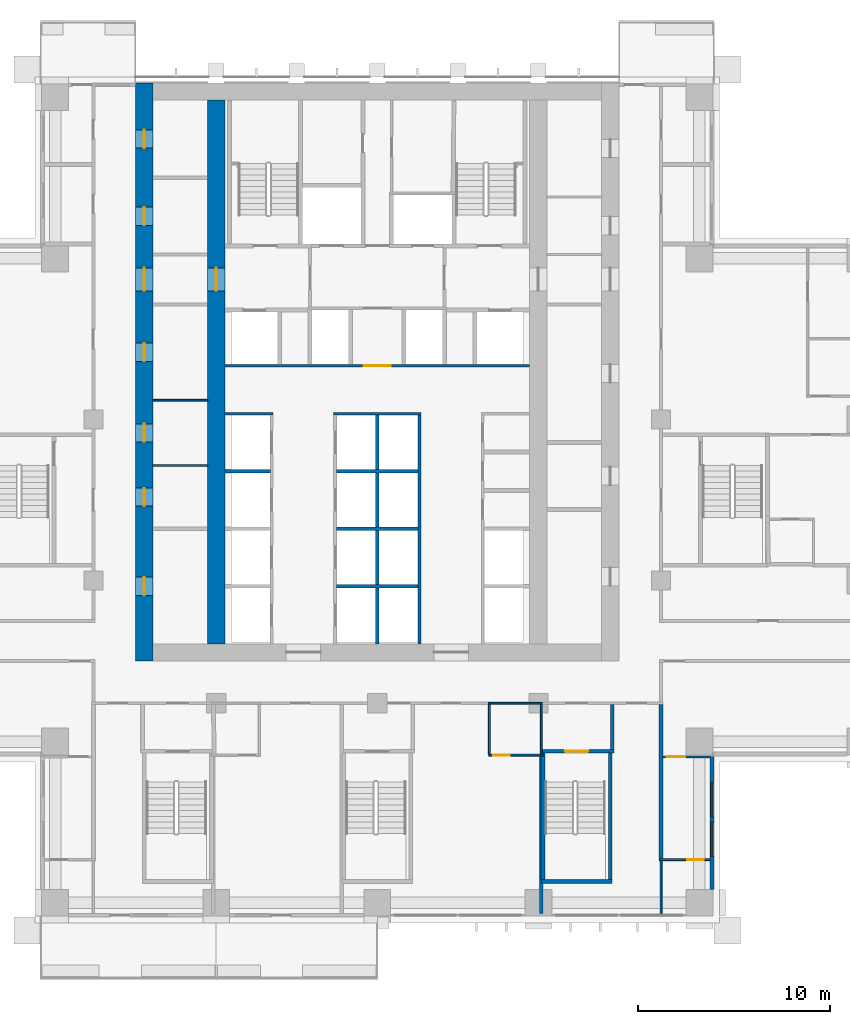
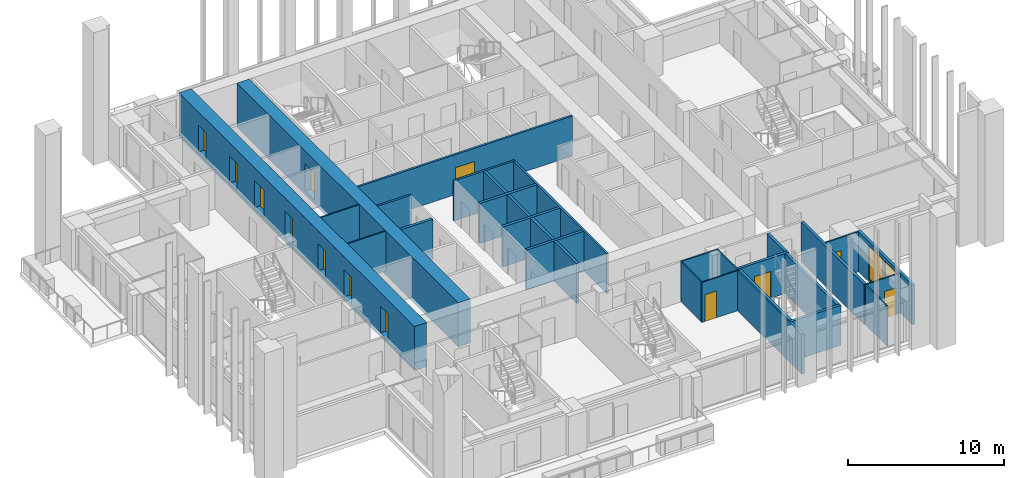
# One storey, part 8 of 17: 28 walls, 13 doors, 2 windows, 15 openings.
"""IFC4 building model written with IfcOpenShell, lengths in metres."""

import ifcopenshell
import ifcopenshell.guid

model = None  # the IFC model being written
_history = None  # IfcOwnerHistory: only IFC2X3 demands one
_inside = {}  # id of a spatial element -> (the spatial element, [elements in it])
_under = {}  # id of a project, library or spatial element -> (it, [spatial elements below it])
_declared = {}  # id of a project -> (the project, [libraries it declares])
_typed = {}  # id of a type object -> (the type object, [elements of that type])
_made_of = {}  # id of a material, layer set ... -> (it, [elements and type objects made of it])


def new_model(schema):
    """Start an empty IFC model of exactly this schema.

    Asked for "IFC4X3", IfcOpenShell would pick the latest addendum, in which some entities
    have other attributes; the version numbers below select the first issue.
    IFC2X3 requires an IfcOwnerHistory on every rooted entity: one is made here for all.
    """
    global model, _history
    if schema == "IFC4X3":
        model = ifcopenshell.file(schema_version=(4, 3, 0, 0))
    else:
        model = ifcopenshell.file(schema=schema)
    _inside.clear()
    _under.clear()
    _declared.clear()
    _typed.clear()
    _made_of.clear()
    _history = None
    if model.schema == "IFC2X3":
        org = make("IfcOrganization", Name="unknown")
        user = make(
            "IfcPersonAndOrganization",
            ThePerson=make("IfcPerson", FamilyName="unknown"),
            TheOrganization=org,
        )
        app = make(
            "IfcApplication",
            ApplicationDeveloper=org,
            Version="unknown",
            ApplicationFullName="unknown",
            ApplicationIdentifier="unknown",
        )
        _history = make(
            "IfcOwnerHistory",
            OwningUser=user,
            OwningApplication=app,
            ChangeAction="ADDED",
            CreationDate=0,
        )
    return model


def make(cls, **values):
    """One entity of the class cls with the attributes given. An attribute that is None is left unset."""
    return model.create_entity(
        cls, **{name: value for name, value in values.items() if value is not None}
    )


def rooted(cls, **values):
    """An entity with a GlobalId (a new one), such as an element, a storey or a relation."""
    return make(cls, GlobalId=ifcopenshell.guid.new(), OwnerHistory=_history, **values)


def si_unit(unit_type, name, prefix=None):
    """IfcSIUnit, for example si_unit("LENGTHUNIT", "METRE", prefix="MILLI")."""
    return make("IfcSIUnit", UnitType=unit_type, Prefix=prefix, Name=name)


def assignment(units):
    """IfcUnitAssignment: the units of a project."""
    return None if units is None else make("IfcUnitAssignment", Units=units)


def point(xyz):
    """IfcCartesianPoint."""
    return None if xyz is None else make("IfcCartesianPoint", Coordinates=xyz)


def direction(xyz):
    """IfcDirection."""
    return None if xyz is None else make("IfcDirection", DirectionRatios=xyz)


def frame(location, z_axis=None, x_axis=None):
    """IfcAxis2Placement3D, a coordinate frame: its origin and axes. An axis left out is left unset."""
    return make(
        "IfcAxis2Placement3D",
        Location=point(location),
        Axis=direction(z_axis),
        RefDirection=direction(x_axis),
    )


def frame_2d(location, x_axis=None):
    """IfcAxis2Placement2D, a coordinate frame in the plane: its origin and x axis."""
    return make(
        "IfcAxis2Placement2D", Location=point(location), RefDirection=direction(x_axis)
    )


def origin():
    """The frame at (0, 0, 0) with its axes left unset."""
    return frame((0.0, 0.0, 0.0))


def place(relative_to, where):
    """IfcLocalPlacement: puts the frame where relative to a parent placement (None: the world)."""
    return make(
        "IfcLocalPlacement", PlacementRelTo=relative_to, RelativePlacement=where
    )


def context(
    kind, dimensions, precision=None, world=None, true_north=None, identifier=None
):
    """IfcGeometricRepresentationContext, for example the 3D "Model" context."""
    return make(
        "IfcGeometricRepresentationContext",
        ContextIdentifier=identifier,
        ContextType=kind,
        CoordinateSpaceDimension=dimensions,
        Precision=precision,
        WorldCoordinateSystem=world,
        TrueNorth=true_north,
    )


def subcontext(parent, identifier, kind, view, scale=None):
    """IfcGeometricRepresentationSubContext, for example "Body" below "Model"."""
    return make(
        "IfcGeometricRepresentationSubContext",
        ContextIdentifier=identifier,
        ContextType=kind,
        ParentContext=parent,
        TargetScale=scale,
        TargetView=view,
    )


def project(units=None, contexts=None):
    """IfcProject with its units and contexts."""
    return rooted(
        "IfcProject",
        Name="project",
        RepresentationContexts=contexts,
        UnitsInContext=assignment(units),
    )


def spatial(cls, under=None, at=None, **own):
    """A site, building, storey or space (cls), placed at a placement, below another one or the project."""
    s = rooted(cls, ObjectPlacement=at, **own)
    if under is not None:
        _under.setdefault(under.id(), (under, []))[1].append(s)
    return s


def profile(cls, at=None, kind="AREA", **sizes):
    """A parametric profile (cls). Its sizes go by their IFC names, for example OverallWidth=200.0."""
    return make(cls, ProfileType=kind, Position=at, **sizes)


def rectangle(**sizes):
    """IfcRectangleProfileDef."""
    return profile("IfcRectangleProfileDef", **sizes)


def extrude(swept, where, along, depth):
    """IfcExtrudedAreaSolid: the profile swept, set in the frame where, extruded along a direction by depth."""
    return make(
        "IfcExtrudedAreaSolid",
        SweptArea=swept,
        Position=where,
        ExtrudedDirection=direction(along),
        Depth=depth,
    )


def shape(context_of_items, identifier, shape_type, items):
    """IfcShapeRepresentation: the items that make up one representation, for example the "Body"."""
    return make(
        "IfcShapeRepresentation",
        ContextOfItems=context_of_items,
        RepresentationIdentifier=identifier,
        RepresentationType=shape_type,
        Items=items,
    )


def material(Name=None, Category=None):
    """IfcMaterial."""
    return make("IfcMaterial", Name=Name, Category=Category)


def layer(
    of_material, thickness, ventilated=None, Name=None, Category=None, Priority=None
):
    """IfcMaterialLayer: one layer of a wall or slab, of a material (None: an air gap)."""
    return make(
        "IfcMaterialLayer",
        Material=of_material,
        LayerThickness=thickness,
        IsVentilated=ventilated,
        Name=Name,
        Category=Category,
        Priority=Priority,
    )


def layer_set(layers, Name=None):
    """IfcMaterialLayerSet."""
    return make("IfcMaterialLayerSet", MaterialLayers=layers, LayerSetName=Name)


def made_of(thing, what):
    """Note that an element or type object is made of a material, layer set ...; save() writes the relation."""
    if what is not None:
        _made_of.setdefault(what.id(), (what, []))[1].append(thing)
    return thing


def type_object(cls, material=None, **own):
    """A type object (cls), such as IfcWallType, which elements share."""
    return made_of(rooted(cls, **own), material)


def element(
    cls,
    number,
    at=None,
    inside=None,
    cuts=None,
    type_object=None,
    material=None,
    context=None,
    identifier="Body",
    shape_type=None,
    held_by="IfcProductDefinitionShape",
    body=None,
    shapes=None,
    **own,
):
    """One element of the class cls, such as IfcWall. Its Tag is "e" and its number.

    at: its placement. inside: the storey or other place that contains it. cuts: it is an
    opening in that element (IfcRelVoidsElement). A single representation is given by context,
    identifier, shape_type and body (its items); several are given by shapes. held_by: the class
    of the entity that holds the representations. save() writes the other relations.
    """
    e = rooted(cls, Tag="e%d" % number, ObjectPlacement=at, **own)
    if body is not None:
        shapes = [shape(context, identifier, shape_type, body)]
    if shapes is not None:
        e.Representation = make(held_by, Representations=shapes)
    if inside is not None:
        _inside.setdefault(inside.id(), (inside, []))[1].append(e)
    if cuts is not None:
        rooted(
            "IfcRelVoidsElement", RelatingBuildingElement=cuts, RelatedOpeningElement=e
        )
    if type_object is not None:
        _typed.setdefault(type_object.id(), (type_object, []))[1].append(e)
    return made_of(e, material)


def fill(opening, filler):
    """IfcRelFillsElement: the door or window that sits in an opening."""
    return rooted(
        "IfcRelFillsElement",
        RelatingOpeningElement=opening,
        RelatedBuildingElement=filler,
    )


def aggregate(whole, parts):
    """IfcRelAggregates: a whole, such as a stair, and the parts it consists of."""
    return rooted("IfcRelAggregates", RelatingObject=whole, RelatedObjects=parts)


def save(model, path):
    """Write the relations noted so far, then the file.

    IfcRelAggregates (storeys below a building ...), IfcRelContainedInSpatialStructure (elements
    in a storey), IfcRelDefinesByType, IfcRelAssociatesMaterial and IfcRelDeclares: one each for
    every whole, place, type object, material and project.
    """
    for whole, parts in _under.values():
        aggregate(whole, parts)
    for where, things in _inside.values():
        rooted(
            "IfcRelContainedInSpatialStructure",
            RelatedElements=things,
            RelatingStructure=where,
        )
    for kind, things in _typed.values():
        rooted("IfcRelDefinesByType", RelatedObjects=things, RelatingType=kind)
    for what, things in _made_of.values():
        rooted("IfcRelAssociatesMaterial", RelatedObjects=things, RelatingMaterial=what)
    for by, libraries in _declared.values():
        rooted("IfcRelDeclares", RelatingContext=by, RelatedDefinitions=libraries)
    model.write(path)


model = new_model("IFC4")

# Units and contexts
model_context = context("Model", 3, precision=1e-05, world=origin(), true_north=direction((0.0, 1.0)))
body_context = subcontext(model_context, "Body", "Model", "MODEL_VIEW")
ifc_project = project(units=[si_unit("LENGTHUNIT", "METRE"), si_unit("AREAUNIT", "SQUARE_METRE"), si_unit("VOLUMEUNIT", "CUBIC_METRE"), si_unit("PLANEANGLEUNIT", "RADIAN"), si_unit("MASSUNIT", "GRAM", prefix="KILO")], contexts=[model_context])

# Site, building, storey
site_placement = place(None, origin())
site = spatial("IfcSite", under=ifc_project, at=site_placement, CompositionType="ELEMENT")
building_placement = place(site_placement, origin())
building = spatial("IfcBuilding", under=site, at=building_placement, Name="Vermilion Ogive Tower", CompositionType="ELEMENT")
storey_placement = place(building_placement, frame((0.0, 0.0, 37.949951171875)))
storey = spatial("IfcBuildingStorey", under=building, at=storey_placement, Name="L07", CompositionType="ELEMENT", Elevation=37.949951171875)

# Wall, openings, doors
ifc_material_1 = material(Name="Concrete B80", Category="concrete")
ifc_layer_1 = layer(ifc_material_1, 0.89990234375)
ifc_layer_set_1 = layer_set([ifc_layer_1], Name="Core wall 900 B80")
wall_type_1 = type_object("IfcWallType", Name="Core wall 900 B80", PredefinedType="SHEAR", material=ifc_layer_set_1)
wall_1_placement = place(storey_placement, frame((-12.14990234375, -8.39990234375, -0.320068359375), z_axis=(0.0, 0.0, 1.0), x_axis=(0.0, 1.0, 0.0)))
wall_1 = element("IfcWall", 1, at=wall_1_placement, inside=storey, type_object=wall_type_1, Name="L07-CORE-W", PredefinedType="SHEAR", context=body_context, shape_type="SweptSolid", body=[
    extrude(rectangle(XDim=30.14990234375, YDim=0.89990234375, at=frame_2d((15.074951171875, 0.0))), origin(), (0.0, 0.0, 1.0), 3.4501953125),
])
opening_1_placement = place(wall_1_placement, frame((3.425048828125, 0.0, 0.320068359375)))
opening_1 = element("IfcOpeningElement", 2, at=opening_1_placement, cuts=wall_1, Name="Opening DAD006", PredefinedType="OPENING", context=body_context, shape_type="SweptSolid", body=[
    extrude(rectangle(XDim=0.949951171875, YDim=2.10009765625, at=frame_2d((0.47509765625, 1.050048828125))), frame((0.0, 0.4599609375, 0.0), z_axis=(0.0, -1.0, 0.0), x_axis=(1.0, 0.0, 0.0)), (0.0, 0.0, 1.0), 0.919921875),
])
opening_2_placement = place(wall_1_placement, frame((8.074951171875, 0.0, 0.320068359375)))
opening_2 = element("IfcOpeningElement", 3, at=opening_2_placement, cuts=wall_1, Name="Opening DAD007", PredefinedType="OPENING", context=body_context, shape_type="SweptSolid", body=[
    extrude(rectangle(XDim=0.949951171875, YDim=2.10009765625, at=frame_2d((0.47509765625, 1.050048828125))), frame((0.0, 0.4599609375, 0.0), z_axis=(0.0, -1.0, 0.0), x_axis=(1.0, 0.0, 0.0)), (0.0, 0.0, 1.0), 0.919921875),
])
opening_3_placement = place(wall_1_placement, frame((11.425048828125, 0.0, 0.320068359375)))
opening_3 = element("IfcOpeningElement", 4, at=opening_3_placement, cuts=wall_1, Name="Opening DAD008", PredefinedType="OPENING", context=body_context, shape_type="SweptSolid", body=[
    extrude(rectangle(XDim=0.949951171875, YDim=2.10009765625, at=frame_2d((0.47509765625, 1.050048828125))), frame((0.0, 0.4599609375, 0.0), z_axis=(0.0, -1.0, 0.0), x_axis=(1.0, 0.0, 0.0)), (0.0, 0.0, 1.0), 0.919921875),
])
opening_4_placement = place(wall_1_placement, frame((15.625, 0.0, 0.320068359375)))
opening_4 = element("IfcOpeningElement", 5, at=opening_4_placement, cuts=wall_1, Name="Opening DAD009", PredefinedType="OPENING", context=body_context, shape_type="SweptSolid", body=[
    extrude(rectangle(XDim=0.949951171875, YDim=2.10009765625, at=frame_2d((0.47509765625, 1.050048828125))), frame((0.0, 0.4599609375, 0.0), z_axis=(0.0, -1.0, 0.0), x_axis=(1.0, 0.0, 0.0)), (0.0, 0.0, 1.0), 0.919921875),
])
opening_5_placement = place(wall_1_placement, frame((22.72509765625, 0.0, 0.320068359375)))
opening_5 = element("IfcOpeningElement", 6, at=opening_5_placement, cuts=wall_1, Name="Opening DAD010", PredefinedType="OPENING", context=body_context, shape_type="SweptSolid", body=[
    extrude(rectangle(XDim=0.949951171875, YDim=2.10009765625, at=frame_2d((0.47509765625, 1.050048828125))), frame((0.0, 0.4599609375, 0.0), z_axis=(0.0, -1.0, 0.0), x_axis=(1.0, 0.0, 0.0)), (0.0, 0.0, 1.0), 0.919921875),
])
opening_6_placement = place(wall_1_placement, frame((26.75, 0.0, 0.320068359375)))
opening_6 = element("IfcOpeningElement", 7, at=opening_6_placement, cuts=wall_1, Name="Opening DAD011", PredefinedType="OPENING", context=body_context, shape_type="SweptSolid", body=[
    extrude(rectangle(XDim=0.949951171875, YDim=2.10009765625, at=frame_2d((0.47509765625, 1.050048828125))), frame((0.0, 0.4599609375, 0.0), z_axis=(0.0, -1.0, 0.0), x_axis=(1.0, 0.0, 0.0)), (0.0, 0.0, 1.0), 0.919921875),
])
opening_7_placement = place(wall_1_placement, frame((19.300048828125, 0.0, 0.320068359375)))
opening_7 = element("IfcOpeningElement", 8, at=opening_7_placement, cuts=wall_1, Name="Opening DAM002", PredefinedType="OPENING", context=body_context, shape_type="SweptSolid", body=[
    extrude(rectangle(XDim=1.199951171875, YDim=2.10009765625, at=frame_2d((0.60009765625, 1.050048828125))), frame((0.0, 0.4599609375, 0.0), z_axis=(0.0, -1.0, 0.0), x_axis=(1.0, 0.0, 0.0)), (0.0, 0.0, 1.0), 0.919921875),
])
ifc_material_2 = material(Name="Timber door leaf", Category="wood")
door_type_1 = type_object("IfcDoorType", Name="Link door 1200 x 2100 FD60S", OperationType="SINGLE_SWING_LEFT", PredefinedType="DOOR", material=ifc_material_2)
door_1_placement = place(opening_7_placement, origin())
door_1 = element("IfcDoor", 9, at=door_1_placement, inside=storey, type_object=door_type_1, Name="L07-CKW-XL", OperationType="SINGLE_SWING_LEFT", OverallHeight=2.10009765625, OverallWidth=1.199951171875, PredefinedType="DOOR", context=body_context, shape_type="SweptSolid", body=[
    extrude(rectangle(XDim=1.199951171875, YDim=2.10009765625, at=frame_2d((0.60009765625, 1.050048828125))), frame((0.0, 0.02490234375, 0.0), z_axis=(0.0, -1.0, 0.0), x_axis=(1.0, 0.0, 0.0)), (0.0, 0.0, 1.0), 0.050048828125),
])
fill(opening_7, door_1)
ifc_material_3 = material(Name="Timber door leaf", Category="wood")
door_type_2 = type_object("IfcDoorType", Name="Service door 950 x 2100 FD60", OperationType="SINGLE_SWING_LEFT", PredefinedType="DOOR", material=ifc_material_3)
door_2_placement = place(opening_1_placement, origin())
door_2 = element("IfcDoor", 10, at=door_2_placement, inside=storey, type_object=door_type_2, Name="L07-CKW-XR0", OperationType="SINGLE_SWING_LEFT", OverallHeight=2.10009765625, OverallWidth=0.949951171875, PredefinedType="DOOR", context=body_context, shape_type="SweptSolid", body=[
    extrude(rectangle(XDim=0.949951171875, YDim=2.10009765625, at=frame_2d((0.47509765625, 1.050048828125))), frame((0.0, 0.02490234375, 0.0), z_axis=(0.0, -1.0, 0.0), x_axis=(1.0, 0.0, 0.0)), (0.0, 0.0, 1.0), 0.050048828125),
])
fill(opening_1, door_2)
door_3_placement = place(opening_2_placement, origin())
door_3 = element("IfcDoor", 11, at=door_3_placement, inside=storey, type_object=door_type_2, Name="L07-CKW-XR1", OperationType="SINGLE_SWING_LEFT", OverallHeight=2.10009765625, OverallWidth=0.949951171875, PredefinedType="DOOR", context=body_context, shape_type="SweptSolid", body=[
    extrude(rectangle(XDim=0.949951171875, YDim=2.10009765625, at=frame_2d((0.47509765625, 1.050048828125))), frame((0.0, 0.02490234375, 0.0), z_axis=(0.0, -1.0, 0.0), x_axis=(1.0, 0.0, 0.0)), (0.0, 0.0, 1.0), 0.050048828125),
])
fill(opening_2, door_3)
door_4_placement = place(opening_3_placement, origin())
door_4 = element("IfcDoor", 12, at=door_4_placement, inside=storey, type_object=door_type_2, Name="L07-CKW-XR2", OperationType="SINGLE_SWING_LEFT", OverallHeight=2.10009765625, OverallWidth=0.949951171875, PredefinedType="DOOR", context=body_context, shape_type="SweptSolid", body=[
    extrude(rectangle(XDim=0.949951171875, YDim=2.10009765625, at=frame_2d((0.47509765625, 1.050048828125))), frame((0.0, 0.02490234375, 0.0), z_axis=(0.0, -1.0, 0.0), x_axis=(1.0, 0.0, 0.0)), (0.0, 0.0, 1.0), 0.050048828125),
])
fill(opening_3, door_4)
door_5_placement = place(opening_4_placement, origin())
door_5 = element("IfcDoor", 13, at=door_5_placement, inside=storey, type_object=door_type_2, Name="L07-CKW-XR3", OperationType="SINGLE_SWING_LEFT", OverallHeight=2.10009765625, OverallWidth=0.949951171875, PredefinedType="DOOR", context=body_context, shape_type="SweptSolid", body=[
    extrude(rectangle(XDim=0.949951171875, YDim=2.10009765625, at=frame_2d((0.47509765625, 1.050048828125))), frame((0.0, 0.02490234375, 0.0), z_axis=(0.0, -1.0, 0.0), x_axis=(1.0, 0.0, 0.0)), (0.0, 0.0, 1.0), 0.050048828125),
])
fill(opening_4, door_5)
door_6_placement = place(opening_5_placement, origin())
door_6 = element("IfcDoor", 14, at=door_6_placement, inside=storey, type_object=door_type_2, Name="L07-CKW-XR4", OperationType="SINGLE_SWING_LEFT", OverallHeight=2.10009765625, OverallWidth=0.949951171875, PredefinedType="DOOR", context=body_context, shape_type="SweptSolid", body=[
    extrude(rectangle(XDim=0.949951171875, YDim=2.10009765625, at=frame_2d((0.47509765625, 1.050048828125))), frame((0.0, 0.02490234375, 0.0), z_axis=(0.0, -1.0, 0.0), x_axis=(1.0, 0.0, 0.0)), (0.0, 0.0, 1.0), 0.050048828125),
])
fill(opening_5, door_6)
door_7_placement = place(opening_6_placement, origin())
door_7 = element("IfcDoor", 15, at=door_7_placement, inside=storey, type_object=door_type_2, Name="L07-CKW-XR5", OperationType="SINGLE_SWING_LEFT", OverallHeight=2.10009765625, OverallWidth=0.949951171875, PredefinedType="DOOR", context=body_context, shape_type="SweptSolid", body=[
    extrude(rectangle(XDim=0.949951171875, YDim=2.10009765625, at=frame_2d((0.47509765625, 1.050048828125))), frame((0.0, 0.02490234375, 0.0), z_axis=(0.0, -1.0, 0.0), x_axis=(1.0, 0.0, 0.0)), (0.0, 0.0, 1.0), 0.050048828125),
])
fill(opening_6, door_7)

# Wall, opening, door
wall_2_placement = place(storey_placement, frame((-8.39990234375, -7.5, -0.320068359375), z_axis=(0.0, 0.0, 1.0), x_axis=(0.0, 1.0, 0.0)))
wall_2 = element("IfcWall", 16, at=wall_2_placement, inside=storey, type_object=wall_type_1, Name="L07-CORE-WEB1", PredefinedType="SHEAR", context=body_context, shape_type="SweptSolid", body=[
    extrude(rectangle(XDim=28.35009765625, YDim=0.89990234375, at=frame_2d((14.175048828125, 0.0))), origin(), (0.0, 0.0, 1.0), 3.4501953125),
])
opening_8_placement = place(wall_2_placement, frame((18.39990234375, 0.0, 0.320068359375)))
opening_8 = element("IfcOpeningElement", 17, at=opening_8_placement, cuts=wall_2, Name="Opening DAP002", PredefinedType="OPENING", context=body_context, shape_type="SweptSolid", body=[
    extrude(rectangle(XDim=1.199951171875, YDim=2.10009765625, at=frame_2d((0.60009765625, 1.050048828125))), frame((0.0, 0.4599609375, 0.0), z_axis=(0.0, -1.0, 0.0), x_axis=(1.0, 0.0, 0.0)), (0.0, 0.0, 1.0), 0.919921875),
])
door_8_placement = place(opening_8_placement, origin())
door_8 = element("IfcDoor", 18, at=door_8_placement, inside=storey, type_object=door_type_1, Name="L07-CKW-XW", OperationType="SINGLE_SWING_LEFT", OverallHeight=2.10009765625, OverallWidth=1.199951171875, PredefinedType="DOOR", context=body_context, shape_type="SweptSolid", body=[
    extrude(rectangle(XDim=1.199951171875, YDim=2.10009765625, at=frame_2d((0.60009765625, 1.050048828125))), frame((0.0, 0.02490234375, 0.0), z_axis=(0.0, -1.0, 0.0), x_axis=(1.0, 0.0, 0.0)), (0.0, 0.0, 1.0), 0.050048828125),
])
fill(opening_8, door_8)

ifc_material_4 = material(Name="Gypsum board partition on steel studs", Category="steel")
ifc_layer_2 = layer(ifc_material_4, 0.10009765625)
ifc_layer_set_2 = layer_set([ifc_layer_2], Name="Partition 100 bath")
wall_type_2 = type_object("IfcWallType", Name="Partition 100 bath", PredefinedType="PARTITIONING", material=ifc_layer_set_2)
wall_3_placement = place(storey_placement, frame((14.699951171875, -18.75, 0.0), z_axis=(0.0, 0.0, 1.0), x_axis=(1.0, 0.0, 0.0)))
wall_3 = element("IfcWall", 19, at=wall_3_placement, inside=storey, type_object=wall_type_2, Name="L07-W-W005", PredefinedType="PARTITIONING", context=body_context, shape_type="SweptSolid", body=[
    extrude(rectangle(XDim=2.650146484375, YDim=0.10009765625, at=frame_2d((1.3251953125, 0.0))), origin(), (0.0, 0.0, 1.0), 3.130126953125),
])
opening_9_placement = place(wall_3_placement, frame((1.47509765625, 0.0, 0.0)))
opening_9 = element("IfcOpeningElement", 20, at=opening_9_placement, cuts=wall_3, Name="Opening D1G2017", PredefinedType="OPENING", context=body_context, shape_type="SweptSolid", body=[
    extrude(rectangle(XDim=0.85009765625, YDim=2.10009765625, at=frame_2d((0.425048828125, 1.050048828125))), frame((0.0, 0.06005859375, 0.0), z_axis=(0.0, -1.0, 0.0), x_axis=(1.0, 0.0, 0.0)), (0.0, 0.0, 1.0), 0.1201171875),
])
ifc_material_5 = material(Name="Timber door leaf", Category="wood")
door_type_3 = type_object("IfcDoorType", Name="Bath door 850 x 2100 FD30", OperationType="SINGLE_SWING_LEFT", PredefinedType="DOOR", material=ifc_material_5)
door_9_placement = place(opening_9_placement, origin())
door_9 = element("IfcDoor", 21, at=door_9_placement, inside=storey, type_object=door_type_3, Name="L07-D-D017", OperationType="SINGLE_SWING_LEFT", OverallHeight=2.10009765625, OverallWidth=0.85009765625, PredefinedType="DOOR", context=body_context, shape_type="SweptSolid", body=[
    extrude(rectangle(XDim=0.85009765625, YDim=2.10009765625, at=frame_2d((0.425048828125, 1.050048828125))), frame((0.0, 0.02490234375, 0.0), z_axis=(0.0, -1.0, 0.0), x_axis=(1.0, 0.0, 0.0)), (0.0, 0.0, 1.0), 0.050048828125),
])
fill(opening_9, door_9)

wall_4_placement = place(storey_placement, frame((5.802001953125, -13.300048828125, 0.0), z_axis=(0.0, 0.0, 1.0), x_axis=(1.0, 0.0, 0.0)))
wall_4 = element("IfcWall", 22, at=wall_4_placement, inside=storey, type_object=wall_type_2, Name="L07-W-W009", PredefinedType="PARTITIONING", context=body_context, shape_type="SweptSolid", body=[
    extrude(rectangle(XDim=2.847900390625, YDim=0.10009765625, at=frame_2d((1.423828125, 0.0))), origin(), (0.0, 0.0, 1.0), 3.130126953125),
])
opening_10_placement = place(wall_4_placement, frame((0.248046875, 0.0, 0.0)))
opening_10 = element("IfcOpeningElement", 23, at=opening_10_placement, cuts=wall_4, Name="Opening D1G2014", PredefinedType="OPENING", context=body_context, shape_type="SweptSolid", body=[
    extrude(rectangle(XDim=0.85009765625, YDim=2.10009765625, at=frame_2d((0.425048828125, 1.050048828125))), frame((0.0, 0.06005859375, 0.0), z_axis=(0.0, -1.0, 0.0), x_axis=(1.0, 0.0, 0.0)), (0.0, 0.0, 1.0), 0.1201171875),
])
door_10_placement = place(opening_10_placement, origin())
door_10 = element("IfcDoor", 24, at=door_10_placement, inside=storey, type_object=door_type_3, Name="L07-D-D014", OperationType="SINGLE_SWING_LEFT", OverallHeight=2.10009765625, OverallWidth=0.85009765625, PredefinedType="DOOR", context=body_context, shape_type="SweptSolid", body=[
    extrude(rectangle(XDim=0.85009765625, YDim=2.10009765625, at=frame_2d((0.425048828125, 1.050048828125))), frame((0.0, 0.02490234375, 0.0), z_axis=(0.0, -1.0, 0.0), x_axis=(1.0, 0.0, 0.0)), (0.0, 0.0, 1.0), 0.050048828125),
])
fill(opening_10, door_10)

# Walls
wall_5_placement = place(storey_placement, frame((5.800048828125, -10.60009765625, 0.0), z_axis=(0.0, 0.0, 1.0), x_axis=(1.0, 0.0, 0.0)))
element("IfcWall", 25, at=wall_5_placement, inside=storey, type_object=wall_type_2, Name="L07-W-W016", PredefinedType="PARTITIONING", context=body_context, shape_type="SweptSolid", body=[
    extrude(rectangle(XDim=2.800048828125, YDim=0.10009765625, at=frame_2d((1.39990234375, 0.0))), origin(), (0.0, 0.0, 1.0), 3.130126953125),
])
wall_6_placement = place(storey_placement, frame((5.85009765625, -13.248046875, 0.0), z_axis=(0.0, 0.0, 1.0), x_axis=(0.0, 1.0, 0.0)))
element("IfcWall", 26, at=wall_6_placement, inside=storey, type_object=wall_type_2, Name="L07-W-W059", PredefinedType="PARTITIONING", context=body_context, shape_type="SweptSolid", body=[
    extrude(rectangle(XDim=2.572998046875, YDim=0.10009765625, at=frame_2d((1.28662109375, 0.0))), origin(), (0.0, 0.0, 1.0), 3.130126953125),
])
wall_7_placement = place(storey_placement, frame((8.550048828125, -13.25, 0.0), z_axis=(0.0, 0.0, 1.0), x_axis=(0.0, 1.0, 0.0)))
element("IfcWall", 27, at=wall_7_placement, inside=storey, type_object=wall_type_2, Name="L07-W-W061", PredefinedType="PARTITIONING", context=body_context, shape_type="SweptSolid", body=[
    extrude(rectangle(XDim=2.574951171875, YDim=0.10009765625, at=frame_2d((1.28759765625, 0.0))), origin(), (0.0, 0.0, 1.0), 3.130126953125),
])
wall_8_placement = place(storey_placement, frame((14.800048828125, -21.550048828125, 0.0), z_axis=(0.0, 0.0, 1.0), x_axis=(0.0, 1.0, 0.0)))
element("IfcWall", 28, at=wall_8_placement, inside=storey, type_object=wall_type_2, Name="L07-W-W065", PredefinedType="PARTITIONING", context=body_context, shape_type="SweptSolid", body=[
    extrude(rectangle(XDim=2.75, YDim=0.10009765625, at=frame_2d((1.375, 0.0))), origin(), (0.0, 0.0, 1.0), 3.130126953125),
])
for number, where, z_axis, x_axis, name in (
    (29, (-11.698974609375, 1.800048828125, 0.0), (0.0, 0.0, 1.0), (1.0, 0.0, 0.0), "L07-CKW-W-W002"),
    (30, (-11.698974609375, 5.199951171875, 0.0), (0.0, 0.0, 1.0), (1.0, 0.0, 0.0), "L07-CKW-W-W003"),
):
    element("IfcWall", number, at=place(storey_placement, frame(where, z_axis=z_axis, x_axis=x_axis)), inside=storey, type_object=wall_type_2, Name=name, PredefinedType="PARTITIONING", context=body_context, shape_type="SweptSolid", body=[
        extrude(rectangle(XDim=2.847900390625, YDim=0.10009765625, at=frame_2d((1.423828125, 0.0))), origin(), (0.0, 0.0, 1.0), 3.130126953125),
    ])

# Wall, opening, door
ifc_material_6 = material(Name="Gypsum board partition on steel studs", Category="steel")
ifc_layer_3 = layer(ifc_material_6, 0.10009765625)
ifc_layer_set_3 = layer_set([ifc_layer_3], Name="Partition 100 inner")
wall_type_3 = type_object("IfcWallType", Name="Partition 100 inner", PredefinedType="PARTITIONING", material=ifc_layer_set_3)
wall_9_placement = place(storey_placement, frame((14.89990234375, -13.39990234375, 0.0), z_axis=(0.0, 0.0, 1.0), x_axis=(1.0, 0.0, 0.0)))
wall_9 = element("IfcWall", 31, at=wall_9_placement, inside=storey, type_object=wall_type_3, Name="L07-W-W007", PredefinedType="PARTITIONING", context=body_context, shape_type="SweptSolid", body=[
    extrude(rectangle(XDim=2.4501953125, YDim=0.10009765625, at=frame_2d((1.22509765625, 0.0))), origin(), (0.0, 0.0, 1.0), 3.130126953125),
])
opening_11_placement = place(wall_9_placement, frame((0.2001953125, 0.0, 0.0)))
opening_11 = element("IfcOpeningElement", 32, at=opening_11_placement, cuts=wall_9, Name="Opening D1G2016", PredefinedType="OPENING", context=body_context, shape_type="SweptSolid", body=[
    extrude(rectangle(XDim=0.949951171875, YDim=2.10009765625, at=frame_2d((0.47509765625, 1.050048828125))), frame((0.0, 0.06005859375, 0.0), z_axis=(0.0, -1.0, 0.0), x_axis=(1.0, 0.0, 0.0)), (0.0, 0.0, 1.0), 0.1201171875),
])
ifc_material_7 = material(Name="Timber door leaf", Category="wood")
door_type_4 = type_object("IfcDoorType", Name="Inner door 950 x 2100 FD30", OperationType="SINGLE_SWING_LEFT", PredefinedType="DOOR", material=ifc_material_7)
door_11_placement = place(opening_11_placement, origin())
door_11 = element("IfcDoor", 33, at=door_11_placement, inside=storey, type_object=door_type_4, Name="L07-D-D016", OperationType="SINGLE_SWING_RIGHT", OverallHeight=2.10009765625, OverallWidth=0.949951171875, PredefinedType="DOOR", context=body_context, shape_type="SweptSolid", body=[
    extrude(rectangle(XDim=0.949951171875, YDim=2.10009765625, at=frame_2d((0.47509765625, 1.050048828125))), frame((0.0, 0.02490234375, 0.0), z_axis=(0.0, -1.0, 0.0), x_axis=(1.0, 0.0, 0.0)), (0.0, 0.0, 1.0), 0.050048828125),
])
fill(opening_11, door_11)

# Walls
ifc_material_8 = material(Name="Gypsum board partition on steel studs", Category="steel")
ifc_layer_4 = layer(ifc_material_8, 0.14990234375)
ifc_layer_set_4 = layer_set([ifc_layer_4], Name="Partition 150 corridor")
wall_type_4 = type_object("IfcWallType", Name="Partition 150 corridor", PredefinedType="PARTITIONING", material=ifc_layer_set_4)
wall_10_placement = place(storey_placement, frame((-7.948974609375, 4.5, 0.0), z_axis=(0.0, 0.0, 1.0), x_axis=(1.0, 0.0, 0.0)))
element("IfcWall", 34, at=wall_10_placement, inside=storey, type_object=wall_type_4, Name="L07-CK-W-W011", PredefinedType="PARTITIONING", context=body_context, shape_type="SweptSolid", body=[
    extrude(rectangle(XDim=2.52392578125, YDim=0.14990234375, at=frame_2d((1.261962890625, 0.0))), origin(), (0.0, 0.0, 1.0), 3.130126953125),
])
wall_11_placement = place(storey_placement, frame((-2.27490234375, 4.5, 0.0), z_axis=(0.0, 0.0, 1.0), x_axis=(1.0, 0.0, 0.0)))
element("IfcWall", 35, at=wall_11_placement, inside=storey, type_object=wall_type_4, Name="L07-CK-W-W012", PredefinedType="PARTITIONING", context=body_context, shape_type="SweptSolid", body=[
    extrude(rectangle(XDim=4.5498046875, YDim=0.14990234375, at=frame_2d((2.27490234375, 0.0))), origin(), (0.0, 0.0, 1.0), 3.130126953125),
])

# Wall, opening, door
wall_12_placement = place(storey_placement, frame((-7.948974609375, 7.0, 0.0), z_axis=(0.0, 0.0, 1.0), x_axis=(1.0, 0.0, 0.0)))
wall_12 = element("IfcWall", 36, at=wall_12_placement, inside=storey, type_object=wall_type_4, Name="L07-CK-W-W014", PredefinedType="PARTITIONING", context=body_context, shape_type="SweptSolid", body=[
    extrude(rectangle(XDim=15.89794921875, YDim=0.14990234375, at=frame_2d((7.948974609375, 0.0))), origin(), (0.0, 0.0, 1.0), 3.130126953125),
])
opening_12_placement = place(wall_12_placement, frame((7.2490234375, 0.0, 0.0)))
opening_12 = element("IfcOpeningElement", 37, at=opening_12_placement, cuts=wall_12, Name="Opening DAA024", PredefinedType="OPENING", context=body_context, shape_type="SweptSolid", body=[
    extrude(rectangle(XDim=1.39990234375, YDim=2.10009765625, at=frame_2d((0.699951171875, 1.050048828125))), frame((0.0, 0.0849609375, 0.0), z_axis=(0.0, -1.0, 0.0), x_axis=(1.0, 0.0, 0.0)), (0.0, 0.0, 1.0), 0.169921875),
])
ifc_material_9 = material(Name="Timber door leaf", Category="wood")
door_type_5 = type_object("IfcDoorType", Name="Lobby door 1400 x 2100 FD60S", OperationType="SINGLE_SWING_LEFT", PredefinedType="DOOR", material=ifc_material_9)
door_12_placement = place(opening_12_placement, origin())
door_12 = element("IfcDoor", 38, at=door_12_placement, inside=storey, type_object=door_type_5, Name="L07-CK-D-D016", OperationType="SINGLE_SWING_RIGHT", OverallHeight=2.10009765625, OverallWidth=1.39990234375, PredefinedType="DOOR", context=body_context, shape_type="SweptSolid", body=[
    extrude(rectangle(XDim=1.39990234375, YDim=2.10009765625, at=frame_2d((0.699951171875, 1.050048828125))), frame((0.0, 0.02490234375, 0.0), z_axis=(0.0, -1.0, 0.0), x_axis=(1.0, 0.0, 0.0)), (0.0, 0.0, 1.0), 0.050048828125),
])
fill(opening_12, door_12)

# Walls
wall_13_placement = place(storey_placement, frame((2.199951171875, -7.4990234375, 0.0), z_axis=(0.0, 0.0, 1.0), x_axis=(0.0, 1.0, 0.0)))
element("IfcWall", 39, at=wall_13_placement, inside=storey, type_object=wall_type_4, Name="L07-CK-W-W035", PredefinedType="PARTITIONING", context=body_context, shape_type="SweptSolid", body=[
    extrude(rectangle(XDim=11.924072265625, YDim=0.14990234375, at=frame_2d((5.9619140625, 0.0))), origin(), (0.0, 0.0, 1.0), 3.130126953125),
])
ifc_material_10 = material(Name="Gypsum board partition on steel studs", Category="steel")
ifc_layer_5 = layer(ifc_material_10, 0.199951171875)
ifc_layer_set_5 = layer_set([ifc_layer_5], Name="Partition 200 party")
wall_type_5 = type_object("IfcWallType", Name="Partition 200 party", PredefinedType="PARTITIONING", material=ifc_layer_set_5)
wall_14_placement = place(storey_placement, frame((14.800048828125, -18.699951171875, 0.0), z_axis=(0.0, 0.0, 1.0), x_axis=(0.0, 1.0, 0.0)))
element("IfcWall", 40, at=wall_14_placement, inside=storey, type_object=wall_type_5, Name="L07-W-W066", PredefinedType="PARTITIONING", context=body_context, shape_type="SweptSolid", body=[
    extrude(rectangle(XDim=8.02490234375, YDim=0.199951171875, at=frame_2d((4.012451171875, 0.0))), origin(), (0.0, 0.0, 1.0), 3.130126953125),
])
for number, where, z_axis, x_axis, name in (
    (41, (-2.125, -4.5, 0.0), (0.0, 0.0, 1.0), (1.0, 0.0, 0.0), "L07-CK-W-W002"),
    (42, (-2.125, -1.5, 0.0), (0.0, 0.0, 1.0), (1.0, 0.0, 0.0), "L07-CK-W-W005"),
):
    element("IfcWall", number, at=place(storey_placement, frame(where, z_axis=z_axis, x_axis=x_axis)), inside=storey, type_object=wall_type_5, Name=name, PredefinedType="PARTITIONING", context=body_context, shape_type="SweptSolid", body=[
        extrude(rectangle(XDim=4.25, YDim=0.199951171875, at=frame_2d((2.125, 0.0))), origin(), (0.0, 0.0, 1.0), 3.130126953125),
    ])
wall_15_placement = place(storey_placement, frame((-7.948974609375, 1.5, 0.0), z_axis=(0.0, 0.0, 1.0), x_axis=(1.0, 0.0, 0.0)))
element("IfcWall", 43, at=wall_15_placement, inside=storey, type_object=wall_type_5, Name="L07-CK-W-W008", PredefinedType="PARTITIONING", context=body_context, shape_type="SweptSolid", body=[
    extrude(rectangle(XDim=2.3740234375, YDim=0.199951171875, at=frame_2d((1.18701171875, 0.0))), origin(), (0.0, 0.0, 1.0), 3.130126953125),
])
wall_16_placement = place(storey_placement, frame((-2.125, 1.5, 0.0), z_axis=(0.0, 0.0, 1.0), x_axis=(1.0, 0.0, 0.0)))
element("IfcWall", 44, at=wall_16_placement, inside=storey, type_object=wall_type_5, Name="L07-CK-W-W009", PredefinedType="PARTITIONING", context=body_context, shape_type="SweptSolid", body=[
    extrude(rectangle(XDim=4.25, YDim=0.199951171875, at=frame_2d((2.125, 0.0))), origin(), (0.0, 0.0, 1.0), 3.130126953125),
])
wall_17_placement = place(storey_placement, frame((0.0, -7.4990234375, 0.0), z_axis=(0.0, 0.0, 1.0), x_axis=(0.0, 1.0, 0.0)))
element("IfcWall", 45, at=wall_17_placement, inside=storey, type_object=wall_type_5, Name="L07-CK-W-W031", PredefinedType="PARTITIONING", context=body_context, shape_type="SweptSolid", body=[
    extrude(rectangle(XDim=11.924072265625, YDim=0.199951171875, at=frame_2d((5.9619140625, 0.0))), origin(), (0.0, 0.0, 1.0), 3.130126953125),
])
ifc_material_11 = material(Name="Concrete B60", Category="concrete")
ifc_layer_6 = layer(ifc_material_11, 0.199951171875)
ifc_layer_set_6 = layer_set([ifc_layer_6], Name="Stair shaft wall 200 Concrete B60")
wall_type_6 = type_object("IfcWallType", Name="Stair shaft wall 200 Concrete B60", PredefinedType="SOLIDWALL", material=ifc_layer_set_6)
wall_18_placement = place(storey_placement, frame((8.552001953125, -19.89990234375, 0.0), z_axis=(0.0, 0.0, 1.0), x_axis=(1.0, 0.0, 0.0)))
element("IfcWall", 46, at=wall_18_placement, inside=storey, type_object=wall_type_6, Name="L07-W-W003", PredefinedType="SOLIDWALL", context=body_context, shape_type="SweptSolid", body=[
    extrude(rectangle(XDim=3.696044921875, YDim=0.199951171875, at=frame_2d((1.84814453125, 0.0))), origin(), (0.0, 0.0, 1.0), 3.130126953125),
])

# Wall, opening, door
wall_19_placement = place(storey_placement, frame((8.60205078125, -13.10009765625, 0.0), z_axis=(0.0, 0.0, 1.0), x_axis=(1.0, 0.0, 0.0)))
wall_19 = element("IfcWall", 47, at=wall_19_placement, inside=storey, type_object=wall_type_6, Name="L07-W-W012", PredefinedType="SOLIDWALL", context=body_context, shape_type="SweptSolid", body=[
    extrude(rectangle(XDim=3.745849609375, YDim=0.199951171875, at=frame_2d((1.873046875, 0.0))), origin(), (0.0, 0.0, 1.0), 3.130126953125),
])
opening_13_placement = place(wall_19_placement, frame((1.197998046875, 0.0, 0.0)))
opening_13 = element("IfcOpeningElement", 48, at=opening_13_placement, cuts=wall_19, Name="Opening D1G2030", PredefinedType="OPENING", context=body_context, shape_type="SweptSolid", body=[
    extrude(rectangle(XDim=1.199951171875, YDim=2.10009765625, at=frame_2d((0.60009765625, 1.050048828125))), frame((0.0, 0.10986328125, 0.0), z_axis=(0.0, -1.0, 0.0), x_axis=(1.0, 0.0, 0.0)), (0.0, 0.0, 1.0), 0.219970703125),
])
ifc_material_12 = material(Name="Timber door leaf", Category="wood")
door_type_6 = type_object("IfcDoorType", Name="Stair door 1200 x 2100 FD60S", OperationType="SINGLE_SWING_LEFT", PredefinedType="DOOR", material=ifc_material_12)
door_13_placement = place(opening_13_placement, origin())
door_13 = element("IfcDoor", 49, at=door_13_placement, inside=storey, type_object=door_type_6, Name="L07-D-D030", OperationType="SINGLE_SWING_RIGHT", OverallHeight=2.10009765625, OverallWidth=1.199951171875, PredefinedType="DOOR", context=body_context, shape_type="SweptSolid", body=[
    extrude(rectangle(XDim=1.199951171875, YDim=2.10009765625, at=frame_2d((0.60009765625, 1.050048828125))), frame((0.0, 0.02490234375, 0.0), z_axis=(0.0, -1.0, 0.0), x_axis=(1.0, 0.0, 0.0)), (0.0, 0.0, 1.0), 0.050048828125),
])
fill(opening_13, door_13)

# Walls
for number, where, z_axis, x_axis, name in (
    (50, (8.64990234375, -19.798095703125, 0.0), (0.0, 0.0, 1.0), (0.0, 1.0, 0.0), "L07-W-W062"),
    (51, (12.14990234375, -19.798095703125, 0.0), (0.0, 0.0, 1.0), (0.0, 1.0, 0.0), "L07-W-W063"),
):
    element("IfcWall", number, at=place(storey_placement, frame(where, z_axis=z_axis, x_axis=x_axis)), inside=storey, type_object=wall_type_6, Name=name, PredefinedType="SOLIDWALL", context=body_context, shape_type="SweptSolid", body=[
        extrude(rectangle(XDim=6.59619140625, YDim=0.199951171875, at=frame_2d((3.298095703125, 0.0))), origin(), (0.0, 0.0, 1.0), 3.130126953125),
    ])
wall_20_placement = place(storey_placement, frame((12.25, -12.998046875, 0.0), z_axis=(0.0, 0.0, 1.0), x_axis=(0.0, 1.0, 0.0)))
element("IfcWall", 52, at=wall_20_placement, inside=storey, type_object=wall_type_6, Name="L07-W-W064", PredefinedType="SOLIDWALL", context=body_context, shape_type="SweptSolid", body=[
    extrude(rectangle(XDim=2.322998046875, YDim=0.199951171875, at=frame_2d((1.16162109375, 0.0))), origin(), (0.0, 0.0, 1.0), 3.130126953125),
])
wall_21_placement = place(storey_placement, frame((8.550048828125, -21.550048828125, 0.0), z_axis=(0.0, 0.0, 1.0), x_axis=(0.0, 1.0, 0.0)))
element("IfcWall", 53, at=wall_21_placement, inside=storey, type_object=wall_type_6, Name="L07-W-W060-A", PredefinedType="SOLIDWALL", context=body_context, shape_type="SweptSolid", body=[
    extrude(rectangle(XDim=8.199951171875, YDim=0.199951171875, at=frame_2d((4.10009765625, 0.0))), origin(), (0.0, 0.0, 1.0), 3.130126953125),
])

# Wall, openings, windows
ifc_material_13 = material(Name="Aluminium window wall framing", Category="aluminium")
ifc_layer_7 = layer(ifc_material_13, 0.199951171875)
ifc_layer_set_7 = layer_set([ifc_layer_7], Name="Window wall")
wall_type_7 = type_object("IfcWallType", Name="Window wall", PredefinedType="STANDARD", material=ifc_layer_set_7)
wall_22_placement = place(storey_placement, frame((17.449951171875, -20.300048828125, 0.0), z_axis=(0.0, 0.0, 1.0), x_axis=(0.0, 1.0, 0.0)))
wall_22 = element("IfcWall", 54, at=wall_22_placement, inside=storey, type_object=wall_type_7, Name="Window wall X11", PredefinedType="STANDARD", context=body_context, shape_type="SweptSolid", body=[
    extrude(rectangle(XDim=6.949951171875, YDim=0.199951171875, at=frame_2d((3.47509765625, 0.0))), origin(), (0.0, 0.0, 1.0), 3.130126953125),
])
opening_14_placement = place(wall_22_placement, frame((1.719970703125, 0.0, 0.199951171875)))
opening_14 = element("IfcOpeningElement", 55, at=opening_14_placement, cuts=wall_22, Name="Opening W1-X195", PredefinedType="OPENING", context=body_context, shape_type="SweptSolid", body=[
    extrude(rectangle(XDim=1.800048828125, YDim=2.64990234375, at=frame_2d((0.89990234375, 1.324951171875))), frame((0.0, 0.10986328125, 0.0), z_axis=(0.0, -1.0, 0.0), x_axis=(1.0, 0.0, 0.0)), (0.0, 0.0, 1.0), 0.219970703125),
])
opening_15_placement = place(wall_22_placement, frame((3.77490234375, 0.0, 0.199951171875)))
opening_15 = element("IfcOpeningElement", 56, at=opening_15_placement, cuts=wall_22, Name="Opening W1-X196", PredefinedType="OPENING", context=body_context, shape_type="SweptSolid", body=[
    extrude(rectangle(XDim=1.800048828125, YDim=2.64990234375, at=frame_2d((0.89990234375, 1.324951171875))), frame((0.0, 0.10986328125, 0.0), z_axis=(0.0, -1.0, 0.0), x_axis=(1.0, 0.0, 0.0)), (0.0, 0.0, 1.0), 0.219970703125),
])
ifc_material_14 = material(Name="Aluminium framed double glazing", Category="aluminium")
window_type = type_object("IfcWindowType", Name="Guest window W1", PartitioningType="SINGLE_PANEL", PredefinedType="WINDOW", material=ifc_material_14)
window_1_placement = place(opening_14_placement, origin())
window_1 = element("IfcWindow", 57, at=window_1_placement, inside=storey, type_object=window_type, Name="Window X195", OverallHeight=2.64990234375, OverallWidth=1.800048828125, PartitioningType="SINGLE_PANEL", PredefinedType="WINDOW", context=body_context, shape_type="SweptSolid", body=[
    extrude(rectangle(XDim=1.800048828125, YDim=2.64990234375, at=frame_2d((0.89990234375, 1.324951171875))), frame((0.0, 0.030029296875, 0.0), z_axis=(0.0, -1.0, 0.0), x_axis=(1.0, 0.0, 0.0)), (0.0, 0.0, 1.0), 0.06005859375),
])
fill(opening_14, window_1)
window_2_placement = place(opening_15_placement, origin())
window_2 = element("IfcWindow", 58, at=window_2_placement, inside=storey, type_object=window_type, Name="Window X196", OverallHeight=2.64990234375, OverallWidth=1.800048828125, PartitioningType="SINGLE_PANEL", PredefinedType="WINDOW", context=body_context, shape_type="SweptSolid", body=[
    extrude(rectangle(XDim=1.800048828125, YDim=2.64990234375, at=frame_2d((0.89990234375, 1.324951171875))), frame((0.0, 0.030029296875, 0.0), z_axis=(0.0, -1.0, 0.0), x_axis=(1.0, 0.0, 0.0)), (0.0, 0.0, 1.0), 0.06005859375),
])
fill(opening_15, window_2)

save(model, "model.ifc")
